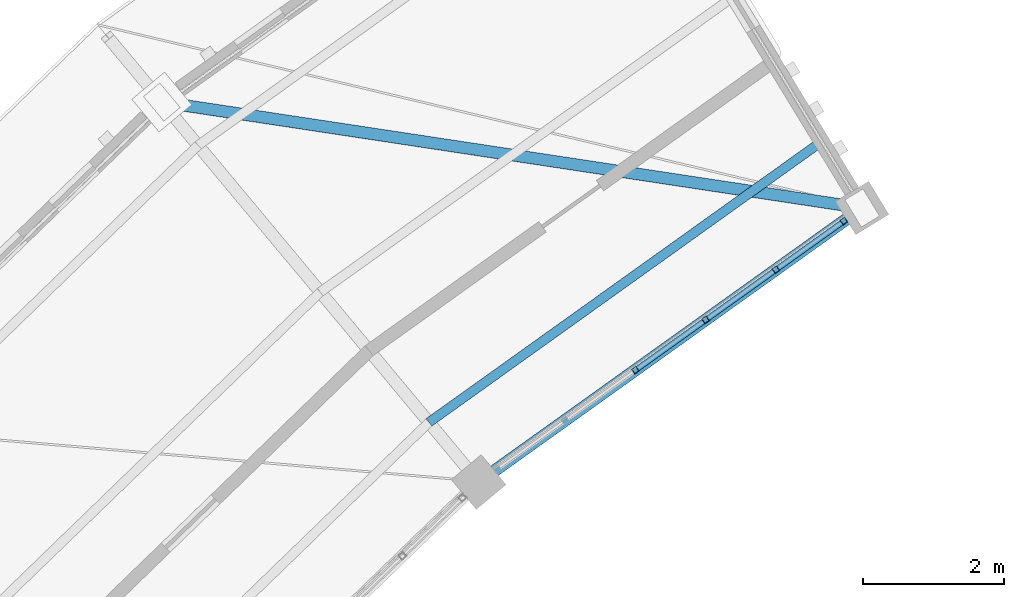
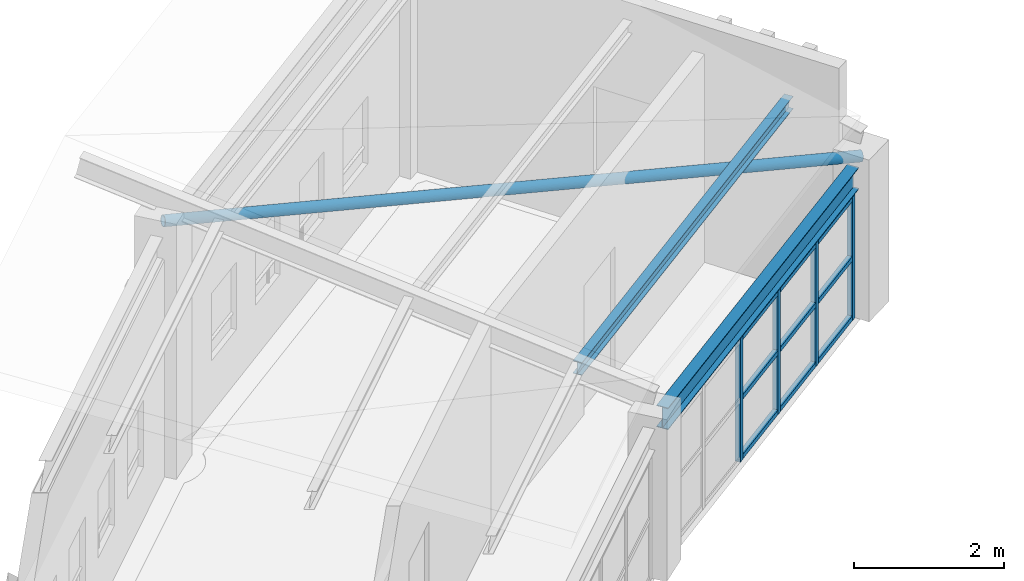
# One storey, part 75 of 149: 15 members, 1 beam, 1 element without a shape of its own.
"""IFC4 building model written with IfcOpenShell, lengths in metres."""

from ifc_helpers import new_model, si_unit, direction, frame, origin, origin_2d, place, context, subcontext, project, spatial, hollow_rectangle, hollow_circle, i_section, extrude, material, material_profile, profile_set, type_object, element, aggregate, save


model = new_model("IFC4")

# Units and contexts
model_context = context("Model", 3, precision=1e-05, world=origin(), true_north=direction((0.0, 1.0)))
body_context = subcontext(model_context, "Body", "Model", "MODEL_VIEW")
ifc_project = project(units=[si_unit("LENGTHUNIT", "METRE"), si_unit("AREAUNIT", "SQUARE_METRE"), si_unit("VOLUMEUNIT", "CUBIC_METRE"), si_unit("PLANEANGLEUNIT", "RADIAN"), si_unit("MASSUNIT", "GRAM", prefix="KILO")], contexts=[model_context])

# Site, building, storey
site_placement = place(None, origin())
site = spatial("IfcSite", under=ifc_project, at=site_placement, CompositionType="ELEMENT")
building_placement = place(site_placement, origin())
building = spatial("IfcBuilding", under=site, at=building_placement, Name="Celadon Cloister-Ring School", CompositionType="ELEMENT")
storey_placement = place(building_placement, frame((0.0, 0.0, 12.5)))
storey = spatial("IfcBuildingStorey", under=building, at=storey_placement, Name="L03", CompositionType="ELEMENT", Elevation=12.5)

# Curtain wall, members
ifc_material_1 = material(Name="Aluminium EN AW-6063 T6", Category="aluminium")
curtain_wall_type = type_object("IfcCurtainWallType", Name="CW-02", PredefinedType="USERDEFINED", material=ifc_material_1)
curtain_wall_placement = place(storey_placement, origin())
curtain_wall = element("IfcCurtainWall", 1, at=curtain_wall_placement, inside=storey, type_object=curtain_wall_type, Name="Curtain Wall 0044", ObjectType="CURTAIN WALL", PredefinedType="USERDEFINED")
ifc_material_2 = material(Name="Aluminium EN AW-6063 T6", Category="aluminium")
ifc_material_profile_1 = material_profile(ifc_material_2, hollow_rectangle(XDim=0.080078125, YDim=0.080078125, WallThickness=0.00390625, at=origin_2d()), Name="RHS80X80X4")
ifc_profile_set_1 = profile_set([ifc_material_profile_1], Name="Aluminium EN AW-6063 T6")
member_type_1 = type_object("IfcMemberType", Name="CM-03", PredefinedType="MULLION", material=ifc_profile_set_1)
member_1_placement = place(storey_placement, frame((63.348388671875, 97.2568359375, 0.0), z_axis=(0.0, 0.0, 1.0), x_axis=(0.581640746221, -0.813445783279, 0.0)))
member_1 = element("IfcMember", 2, at=member_1_placement, type_object=member_type_1, Name="CW-02 mullion 1", PredefinedType="MULLION", context=body_context, shape_type="SweptSolid", body=[
    extrude(hollow_rectangle(XDim=0.080078125, YDim=0.080078125, WallThickness=0.00390625, at=origin_2d()), origin(), (0.0, 0.0, 1.0), 2.02001953125),
])
member_2_placement = place(storey_placement, frame((62.38720703125, 96.5693359375, 0.0), z_axis=(0.0, 0.0, 1.0), x_axis=(0.581640746221, -0.813445783279, 0.0)))
member_2 = element("IfcMember", 3, at=member_2_placement, type_object=member_type_1, Name="CW-02 mullion 2", PredefinedType="MULLION", context=body_context, shape_type="SweptSolid", body=[
    extrude(hollow_rectangle(XDim=0.080078125, YDim=0.080078125, WallThickness=0.00390625, at=origin_2d()), origin(), (0.0, 0.0, 1.0), 2.02001953125),
])
member_3_placement = place(storey_placement, frame((61.393310546875, 95.85888671875, 0.0), z_axis=(0.0, 0.0, 1.0), x_axis=(0.581640746221, -0.813445783279, 0.0)))
member_3 = element("IfcMember", 4, at=member_3_placement, type_object=member_type_1, Name="CW-02 mullion 3", PredefinedType="MULLION", context=body_context, shape_type="SweptSolid", body=[
    extrude(hollow_rectangle(XDim=0.080078125, YDim=0.080078125, WallThickness=0.00390625, at=origin_2d()), origin(), (0.0, 0.0, 1.0), 2.02001953125),
])
member_4_placement = place(storey_placement, frame((60.399658203125, 95.148193359375, 0.0), z_axis=(0.0, 0.0, 1.0), x_axis=(0.581640746221, -0.813445783279, 0.0)))
member_4 = element("IfcMember", 5, at=member_4_placement, type_object=member_type_1, Name="CW-02 mullion 4", PredefinedType="MULLION", context=body_context, shape_type="SweptSolid", body=[
    extrude(hollow_rectangle(XDim=0.080078125, YDim=0.080078125, WallThickness=0.00390625, at=origin_2d()), origin(), (0.0, 0.0, 1.0), 2.02001953125),
])
ifc_material_3 = material(Name="Aluminium EN AW-6063 T6", Category="aluminium")
ifc_material_profile_2 = material_profile(ifc_material_3, hollow_rectangle(XDim=0.074951171875, YDim=0.074951171875, WallThickness=0.00390625, at=origin_2d()), Name="RHS75X75X4")
ifc_profile_set_2 = profile_set([ifc_material_profile_2], Name="Aluminium EN AW-6063 T6")
member_type_2 = type_object("IfcMemberType", Name="CTM-03", PredefinedType="USERDEFINED", material=ifc_profile_set_2)
member_5_placement = place(storey_placement, frame((63.31591796875, 97.2333984375, 0.03759765625), z_axis=(-0.813538766116, -0.581510684361, 0.0), x_axis=(0.581510684361, -0.813538766116, 0.0)))
member_5 = element("IfcMember", 6, at=member_5_placement, type_object=member_type_2, Name="CW-02 transom 1.1", ObjectType="TRANSOM", PredefinedType="USERDEFINED", context=body_context, shape_type="SweptSolid", body=[
    extrude(hollow_rectangle(XDim=0.074951171875, YDim=0.074951171875, WallThickness=0.00390625, at=origin_2d()), origin(), (0.0, 0.0, 1.0), 1.1015625),
])
member_6_placement = place(storey_placement, frame((63.31591796875, 97.2333984375, 1.010009765625), z_axis=(-0.813538766116, -0.581510684361, 0.0), x_axis=(0.581510684361, -0.813538766116, 0.0)))
member_6 = element("IfcMember", 7, at=member_6_placement, type_object=member_type_2, Name="CW-02 transom 1.2", ObjectType="TRANSOM", PredefinedType="USERDEFINED", context=body_context, shape_type="SweptSolid", body=[
    extrude(hollow_rectangle(XDim=0.074951171875, YDim=0.074951171875, WallThickness=0.00390625, at=origin_2d()), origin(), (0.0, 0.0, 1.0), 1.1015625),
])
member_7_placement = place(storey_placement, frame((63.31591796875, 97.2333984375, 1.982421875), z_axis=(-0.813538766116, -0.581510684361, 0.0), x_axis=(0.581510684361, -0.813538766116, 0.0)))
member_7 = element("IfcMember", 8, at=member_7_placement, type_object=member_type_2, Name="CW-02 transom 1.3", ObjectType="TRANSOM", PredefinedType="USERDEFINED", context=body_context, shape_type="SweptSolid", body=[
    extrude(hollow_rectangle(XDim=0.074951171875, YDim=0.074951171875, WallThickness=0.00390625, at=origin_2d()), origin(), (0.0, 0.0, 1.0), 1.1015625),
])
member_8_placement = place(storey_placement, frame((62.354736328125, 96.546142578125, 0.03759765625), z_axis=(-0.813444398719, -0.581642682575, 0.0), x_axis=(0.581642682575, -0.813444398719, 0.0)))
member_8 = element("IfcMember", 9, at=member_8_placement, type_object=member_type_2, Name="CW-02 transom 2.1", ObjectType="TRANSOM", PredefinedType="USERDEFINED", context=body_context, shape_type="SweptSolid", body=[
    extrude(hollow_rectangle(XDim=0.074951171875, YDim=0.074951171875, WallThickness=0.00390625, at=origin_2d()), origin(), (0.0, 0.0, 1.0), 1.1416015625),
])
member_9_placement = place(storey_placement, frame((62.354736328125, 96.546142578125, 1.010009765625), z_axis=(-0.813444398719, -0.581642682575, 0.0), x_axis=(0.581642682575, -0.813444398719, 0.0)))
member_9 = element("IfcMember", 10, at=member_9_placement, type_object=member_type_2, Name="CW-02 transom 2.2", ObjectType="TRANSOM", PredefinedType="USERDEFINED", context=body_context, shape_type="SweptSolid", body=[
    extrude(hollow_rectangle(XDim=0.074951171875, YDim=0.074951171875, WallThickness=0.00390625, at=origin_2d()), origin(), (0.0, 0.0, 1.0), 1.1416015625),
])
member_10_placement = place(storey_placement, frame((62.354736328125, 96.546142578125, 1.982421875), z_axis=(-0.813444398719, -0.581642682575, 0.0), x_axis=(0.581642682575, -0.813444398719, 0.0)))
member_10 = element("IfcMember", 11, at=member_10_placement, type_object=member_type_2, Name="CW-02 transom 2.3", ObjectType="TRANSOM", PredefinedType="USERDEFINED", context=body_context, shape_type="SweptSolid", body=[
    extrude(hollow_rectangle(XDim=0.074951171875, YDim=0.074951171875, WallThickness=0.00390625, at=origin_2d()), origin(), (0.0, 0.0, 1.0), 1.1416015625),
])
member_11_placement = place(storey_placement, frame((61.36083984375, 95.83544921875, 0.03759765625), z_axis=(-0.813444398719, -0.581642682575, 0.0), x_axis=(0.581642682575, -0.813444398719, 0.0)))
member_11 = element("IfcMember", 12, at=member_11_placement, type_object=member_type_2, Name="CW-02 transom 3.1", ObjectType="TRANSOM", PredefinedType="USERDEFINED", context=body_context, shape_type="SweptSolid", body=[
    extrude(hollow_rectangle(XDim=0.074951171875, YDim=0.074951171875, WallThickness=0.00390625, at=origin_2d()), origin(), (0.0, 0.0, 1.0), 1.1416015625),
])
member_12_placement = place(storey_placement, frame((61.36083984375, 95.83544921875, 1.010009765625), z_axis=(-0.813444398719, -0.581642682575, 0.0), x_axis=(0.581642682575, -0.813444398719, 0.0)))
member_12 = element("IfcMember", 13, at=member_12_placement, type_object=member_type_2, Name="CW-02 transom 3.2", ObjectType="TRANSOM", PredefinedType="USERDEFINED", context=body_context, shape_type="SweptSolid", body=[
    extrude(hollow_rectangle(XDim=0.074951171875, YDim=0.074951171875, WallThickness=0.00390625, at=origin_2d()), origin(), (0.0, 0.0, 1.0), 1.1416015625),
])
member_13_placement = place(storey_placement, frame((61.36083984375, 95.83544921875, 1.982421875), z_axis=(-0.813444398719, -0.581642682575, 0.0), x_axis=(0.581642682575, -0.813444398719, 0.0)))
member_13 = element("IfcMember", 14, at=member_13_placement, type_object=member_type_2, Name="CW-02 transom 3.3", ObjectType="TRANSOM", PredefinedType="USERDEFINED", context=body_context, shape_type="SweptSolid", body=[
    extrude(hollow_rectangle(XDim=0.074951171875, YDim=0.074951171875, WallThickness=0.00390625, at=origin_2d()), origin(), (0.0, 0.0, 1.0), 1.1416015625),
])
aggregate(curtain_wall, [member_1, member_2, member_3, member_4, member_5, member_6, member_7, member_8, member_9, member_10, member_11, member_12, member_13])

# Beam
ifc_material_4 = material(Name="Structural steel S355JR", Category="steel")
ifc_material_profile_3 = material_profile(ifc_material_4, i_section(OverallWidth=0.1708984375, OverallDepth=0.35498046875, WebThickness=0.007080078125, FlangeThickness=0.01171875, at=origin_2d()), Name="W360X51")
ifc_profile_set_3 = profile_set([ifc_material_profile_3], Name="Structural steel S355JR")
beam_type = type_object("IfcBeamType", Name="GT-08", PredefinedType="USERDEFINED", material=ifc_profile_set_3)
beam_placement = place(storey_placement, frame((63.405029296875, 97.297119140625, 2.27197265625), z_axis=(-0.813463245268, -0.58161632422, 0.0), x_axis=(0.58161632422, -0.813463245268, 0.0)))
element("IfcBeam", 15, at=beam_placement, inside=storey, type_object=beam_type, Name="Beam 0525", ObjectType="GIRDER", PredefinedType="USERDEFINED", context=body_context, shape_type="SweptSolid", body=[
    extrude(i_section(OverallWidth=0.1708984375, OverallDepth=0.35498046875, WebThickness=0.007080078125, FlangeThickness=0.01171875, at=origin_2d()), origin(), (0.0, 0.0, 1.0), 6.16748046875),
])

# Members
ifc_material_5 = material(Name="Structural steel S355JR", Category="steel")
ifc_material_profile_4 = material_profile(ifc_material_5, hollow_circle(Radius=0.084228515625, WallThickness=0.008056640625, at=origin_2d()), Name="CHS168.3X8")
ifc_profile_set_4 = profile_set([ifc_material_profile_4], Name="Structural steel S355JR")
member_type_3 = type_object("IfcMemberType", Name="MB-09", PredefinedType="BRACE", material=ifc_profile_set_4)
member_14_placement = place(storey_placement, frame((63.60791015625, 97.44189453125, 2.449951171875), z_axis=(-0.977840349004, 0.147985993515, 0.148082401328), x_axis=(-0.149635723448, -0.988741194787, 0.0)))
element("IfcMember", 16, at=member_14_placement, inside=storey, type_object=member_type_3, Name="Structural Member 0078", PredefinedType="BRACE", context=body_context, shape_type="SweptSolid", body=[
    extrude(hollow_circle(Radius=0.084228515625, WallThickness=0.008056640625, at=origin_2d()), origin(), (0.0, 0.0, 1.0), 10.12939453125),
])
ifc_material_6 = material(Name="Structural steel S355JR", Category="steel")
ifc_material_profile_5 = material_profile(ifc_material_6, i_section(OverallWidth=0.133056640625, OverallDepth=0.20703125, WebThickness=0.005859375, FlangeThickness=0.00830078125, at=origin_2d()), Name="W200X27")
ifc_profile_set_5 = profile_set([ifc_material_profile_5], Name="Structural steel S355JR")
member_type_4 = type_object("IfcMemberType", Name="MP-04", PredefinedType="PURLIN", material=ifc_profile_set_5)
member_15_placement = place(storey_placement, frame((63.035888671875, 98.382080078125, 2.970947265625), z_axis=(-0.813431414509, -0.581660840946, 0.0), x_axis=(0.581660840946, -0.813431414509, 0.0)))
element("IfcMember", 17, at=member_15_placement, inside=storey, type_object=member_type_4, Name="Structural Member 0075", PredefinedType="PURLIN", context=body_context, shape_type="SweptSolid", body=[
    extrude(i_section(OverallWidth=0.133056640625, OverallDepth=0.20703125, WebThickness=0.005859375, FlangeThickness=0.00830078125, at=origin_2d()), origin(), (0.0, 0.0, 1.0), 6.8291015625),
])

save(model, "model.ifc")
